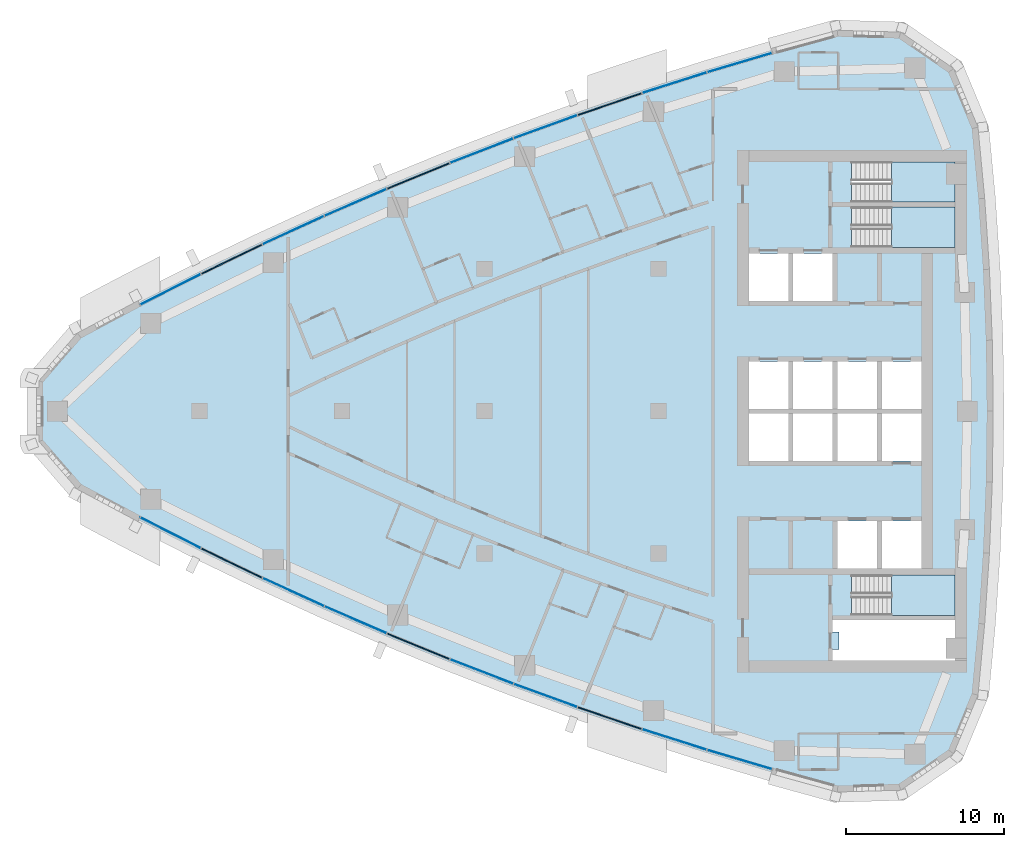
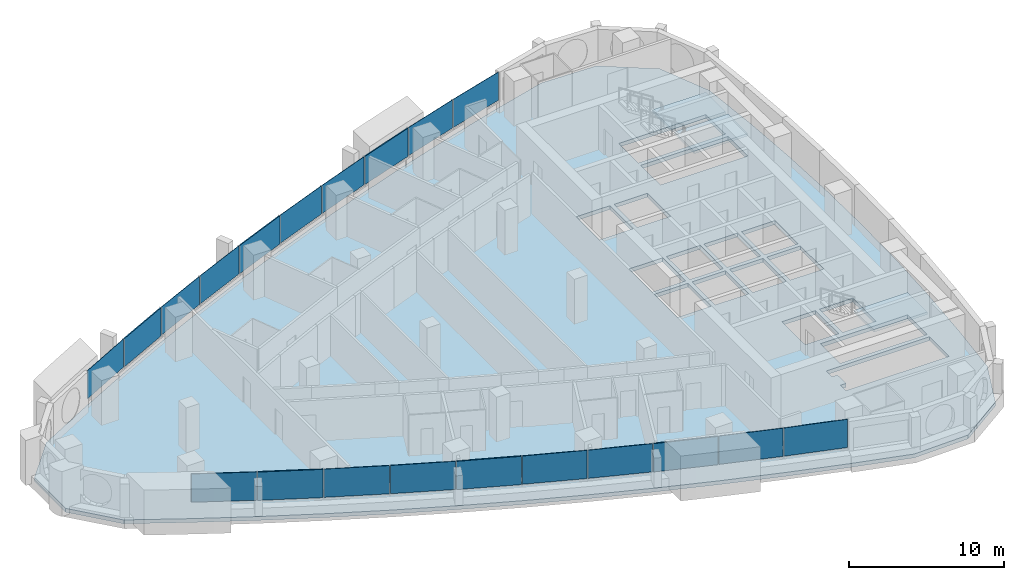
# One storey, part 8 of 17: 20 plates, 4 slabs, 1 opening, 13 elements without a shape of their own.
"""IFC4 building model written with IfcOpenShell, lengths in metres."""

import ifcopenshell
import ifcopenshell.guid

model = None  # the IFC model being written
_history = None  # IfcOwnerHistory: only IFC2X3 demands one
_inside = {}  # id of a spatial element -> (the spatial element, [elements in it])
_under = {}  # id of a project, library or spatial element -> (it, [spatial elements below it])
_declared = {}  # id of a project -> (the project, [libraries it declares])
_typed = {}  # id of a type object -> (the type object, [elements of that type])
_made_of = {}  # id of a material, layer set ... -> (it, [elements and type objects made of it])


def new_model(schema):
    """Start an empty IFC model of exactly this schema.

    Asked for "IFC4X3", IfcOpenShell would pick the latest addendum, in which some entities
    have other attributes; the version numbers below select the first issue.
    IFC2X3 requires an IfcOwnerHistory on every rooted entity: one is made here for all.
    """
    global model, _history
    if schema == "IFC4X3":
        model = ifcopenshell.file(schema_version=(4, 3, 0, 0))
    else:
        model = ifcopenshell.file(schema=schema)
    _inside.clear()
    _under.clear()
    _declared.clear()
    _typed.clear()
    _made_of.clear()
    _history = None
    if model.schema == "IFC2X3":
        org = make("IfcOrganization", Name="unknown")
        user = make(
            "IfcPersonAndOrganization",
            ThePerson=make("IfcPerson", FamilyName="unknown"),
            TheOrganization=org,
        )
        app = make(
            "IfcApplication",
            ApplicationDeveloper=org,
            Version="unknown",
            ApplicationFullName="unknown",
            ApplicationIdentifier="unknown",
        )
        _history = make(
            "IfcOwnerHistory",
            OwningUser=user,
            OwningApplication=app,
            ChangeAction="ADDED",
            CreationDate=0,
        )
    return model


def make(cls, **values):
    """One entity of the class cls with the attributes given. An attribute that is None is left unset."""
    return model.create_entity(
        cls, **{name: value for name, value in values.items() if value is not None}
    )


def rooted(cls, **values):
    """An entity with a GlobalId (a new one), such as an element, a storey or a relation."""
    return make(cls, GlobalId=ifcopenshell.guid.new(), OwnerHistory=_history, **values)


def si_unit(unit_type, name, prefix=None):
    """IfcSIUnit, for example si_unit("LENGTHUNIT", "METRE", prefix="MILLI")."""
    return make("IfcSIUnit", UnitType=unit_type, Prefix=prefix, Name=name)


def assignment(units):
    """IfcUnitAssignment: the units of a project."""
    return None if units is None else make("IfcUnitAssignment", Units=units)


def point(xyz):
    """IfcCartesianPoint."""
    return None if xyz is None else make("IfcCartesianPoint", Coordinates=xyz)


def direction(xyz):
    """IfcDirection."""
    return None if xyz is None else make("IfcDirection", DirectionRatios=xyz)


def frame(location, z_axis=None, x_axis=None):
    """IfcAxis2Placement3D, a coordinate frame: its origin and axes. An axis left out is left unset."""
    return make(
        "IfcAxis2Placement3D",
        Location=point(location),
        Axis=direction(z_axis),
        RefDirection=direction(x_axis),
    )


def frame_2d(location, x_axis=None):
    """IfcAxis2Placement2D, a coordinate frame in the plane: its origin and x axis."""
    return make(
        "IfcAxis2Placement2D", Location=point(location), RefDirection=direction(x_axis)
    )


def origin():
    """The frame at (0, 0, 0) with its axes left unset."""
    return frame((0.0, 0.0, 0.0))


def origin_2d():
    """The frame at (0, 0) in the plane with its x axis left unset."""
    return frame_2d((0.0, 0.0))


def place(relative_to, where):
    """IfcLocalPlacement: puts the frame where relative to a parent placement (None: the world)."""
    return make(
        "IfcLocalPlacement", PlacementRelTo=relative_to, RelativePlacement=where
    )


def context(
    kind, dimensions, precision=None, world=None, true_north=None, identifier=None
):
    """IfcGeometricRepresentationContext, for example the 3D "Model" context."""
    return make(
        "IfcGeometricRepresentationContext",
        ContextIdentifier=identifier,
        ContextType=kind,
        CoordinateSpaceDimension=dimensions,
        Precision=precision,
        WorldCoordinateSystem=world,
        TrueNorth=true_north,
    )


def subcontext(parent, identifier, kind, view, scale=None):
    """IfcGeometricRepresentationSubContext, for example "Body" below "Model"."""
    return make(
        "IfcGeometricRepresentationSubContext",
        ContextIdentifier=identifier,
        ContextType=kind,
        ParentContext=parent,
        TargetScale=scale,
        TargetView=view,
    )


def project(units=None, contexts=None):
    """IfcProject with its units and contexts."""
    return rooted(
        "IfcProject",
        Name="project",
        RepresentationContexts=contexts,
        UnitsInContext=assignment(units),
    )


def spatial(cls, under=None, at=None, **own):
    """A site, building, storey or space (cls), placed at a placement, below another one or the project."""
    s = rooted(cls, ObjectPlacement=at, **own)
    if under is not None:
        _under.setdefault(under.id(), (under, []))[1].append(s)
    return s


def polyline(points):
    """IfcPolyline through the points."""
    return make("IfcPolyline", Points=[point(p) for p in points])


def profile(cls, at=None, kind="AREA", **sizes):
    """A parametric profile (cls). Its sizes go by their IFC names, for example OverallWidth=200.0."""
    return make(cls, ProfileType=kind, Position=at, **sizes)


def rectangle(**sizes):
    """IfcRectangleProfileDef."""
    return profile("IfcRectangleProfileDef", **sizes)


def outline(outer, holes=None, kind="AREA"):
    """IfcArbitraryClosedProfileDef: a profile drawn as a closed curve; with holes, ...WithVoids."""
    if holes is None:
        return make("IfcArbitraryClosedProfileDef", ProfileType=kind, OuterCurve=outer)
    return make(
        "IfcArbitraryProfileDefWithVoids",
        ProfileType=kind,
        OuterCurve=outer,
        InnerCurves=holes,
    )


def extrude(swept, where, along, depth):
    """IfcExtrudedAreaSolid: the profile swept, set in the frame where, extruded along a direction by depth."""
    return make(
        "IfcExtrudedAreaSolid",
        SweptArea=swept,
        Position=where,
        ExtrudedDirection=direction(along),
        Depth=depth,
    )


def shape(context_of_items, identifier, shape_type, items):
    """IfcShapeRepresentation: the items that make up one representation, for example the "Body"."""
    return make(
        "IfcShapeRepresentation",
        ContextOfItems=context_of_items,
        RepresentationIdentifier=identifier,
        RepresentationType=shape_type,
        Items=items,
    )


def material(Name=None, Category=None):
    """IfcMaterial."""
    return make("IfcMaterial", Name=Name, Category=Category)


def layer(
    of_material, thickness, ventilated=None, Name=None, Category=None, Priority=None
):
    """IfcMaterialLayer: one layer of a wall or slab, of a material (None: an air gap)."""
    return make(
        "IfcMaterialLayer",
        Material=of_material,
        LayerThickness=thickness,
        IsVentilated=ventilated,
        Name=Name,
        Category=Category,
        Priority=Priority,
    )


def layer_set(layers, Name=None):
    """IfcMaterialLayerSet."""
    return make("IfcMaterialLayerSet", MaterialLayers=layers, LayerSetName=Name)


def made_of(thing, what):
    """Note that an element or type object is made of a material, layer set ...; save() writes the relation."""
    if what is not None:
        _made_of.setdefault(what.id(), (what, []))[1].append(thing)
    return thing


def type_object(cls, material=None, **own):
    """A type object (cls), such as IfcWallType, which elements share."""
    return made_of(rooted(cls, **own), material)


def element(
    cls,
    number,
    at=None,
    inside=None,
    cuts=None,
    type_object=None,
    material=None,
    context=None,
    identifier="Body",
    shape_type=None,
    held_by="IfcProductDefinitionShape",
    body=None,
    shapes=None,
    **own,
):
    """One element of the class cls, such as IfcWall. Its Tag is "e" and its number.

    at: its placement. inside: the storey or other place that contains it. cuts: it is an
    opening in that element (IfcRelVoidsElement). A single representation is given by context,
    identifier, shape_type and body (its items); several are given by shapes. held_by: the class
    of the entity that holds the representations. save() writes the other relations.
    """
    e = rooted(cls, Tag="e%d" % number, ObjectPlacement=at, **own)
    if body is not None:
        shapes = [shape(context, identifier, shape_type, body)]
    if shapes is not None:
        e.Representation = make(held_by, Representations=shapes)
    if inside is not None:
        _inside.setdefault(inside.id(), (inside, []))[1].append(e)
    if cuts is not None:
        rooted(
            "IfcRelVoidsElement", RelatingBuildingElement=cuts, RelatedOpeningElement=e
        )
    if type_object is not None:
        _typed.setdefault(type_object.id(), (type_object, []))[1].append(e)
    return made_of(e, material)


def aggregate(whole, parts):
    """IfcRelAggregates: a whole, such as a stair, and the parts it consists of."""
    return rooted("IfcRelAggregates", RelatingObject=whole, RelatedObjects=parts)


def save(model, path):
    """Write the relations noted so far, then the file.

    IfcRelAggregates (storeys below a building ...), IfcRelContainedInSpatialStructure (elements
    in a storey), IfcRelDefinesByType, IfcRelAssociatesMaterial and IfcRelDeclares: one each for
    every whole, place, type object, material and project.
    """
    for whole, parts in _under.values():
        aggregate(whole, parts)
    for where, things in _inside.values():
        rooted(
            "IfcRelContainedInSpatialStructure",
            RelatedElements=things,
            RelatingStructure=where,
        )
    for kind, things in _typed.values():
        rooted("IfcRelDefinesByType", RelatedObjects=things, RelatingType=kind)
    for what, things in _made_of.values():
        rooted("IfcRelAssociatesMaterial", RelatedObjects=things, RelatingMaterial=what)
    for by, libraries in _declared.values():
        rooted("IfcRelDeclares", RelatingContext=by, RelatedDefinitions=libraries)
    model.write(path)


model = new_model("IFC4")

# Units and contexts
model_context = context("Model", 3, precision=1e-05, world=origin(), true_north=direction((0.0, 1.0)))
body_context = subcontext(model_context, "Body", "Model", "MODEL_VIEW")
ifc_project = project(units=[si_unit("LENGTHUNIT", "METRE"), si_unit("AREAUNIT", "SQUARE_METRE"), si_unit("VOLUMEUNIT", "CUBIC_METRE"), si_unit("PLANEANGLEUNIT", "RADIAN"), si_unit("MASSUNIT", "GRAM", prefix="KILO")], contexts=[model_context])

# Site, building, storey
site_placement = place(None, origin())
site = spatial("IfcSite", under=ifc_project, at=site_placement, CompositionType="ELEMENT")
building_placement = place(site_placement, origin())
building = spatial("IfcBuilding", under=site, at=building_placement, Name="Ostrand Prow Hotel Tower", CompositionType="ELEMENT")
storey_placement = place(building_placement, frame((0.0, 0.0, 179.050048828125)))
storey = spatial("IfcBuildingStorey", under=building, at=storey_placement, Name="L44", CompositionType="ELEMENT", Elevation=179.050048828125)

# Curtain wall, plate
ifc_material_1 = material(Name="Insulated glass in bronze anodised frame", Category="glass")
ifc_layer_1 = layer(ifc_material_1, 0.199951171875)
ifc_layer_set_1 = layer_set([ifc_layer_1], Name="Insulated glass in bronze anodised frame")
curtain_wall_type = type_object("IfcCurtainWallType", Name="Strip curtain wall, fritted glass over bronze spandrel", PredefinedType="NOTDEFINED", material=ifc_layer_set_1)
curtain_wall_1_placement = place(storey_placement, origin())
curtain_wall_1 = element("IfcCurtainWall", 1, at=curtain_wall_1_placement, inside=storey, type_object=curtain_wall_type, Name="CW1 run CWS1", PredefinedType="NOTDEFINED")
ifc_material_2 = material(Name="Ceramic-fritted glass", Category="glass")
ifc_layer_2 = layer(ifc_material_2, 0.031982421875)
ifc_layer_set_2 = layer_set([ifc_layer_2], Name="Ceramic-fritted glass")
plate_type_1 = type_object("IfcPlateType", Name="Dot-fritted ceramic glass unit 32 mm", PredefinedType="CURTAIN_PANEL", material=ifc_layer_set_2)
plate_1_placement = place(storey_placement, frame((14.17529296875, -7.6865234375, 1.02001953125), z_axis=(0.0, 0.0, 1.0), x_axis=(0.891683792196, -0.452658828186, 0.0)))
plate_1 = element("IfcPlate", 2, at=plate_1_placement, type_object=plate_type_1, Name="CW1 PN-D panel 1.2", PredefinedType="CURTAIN_PANEL", context=body_context, shape_type="SweptSolid", body=[
    extrude(rectangle(XDim=4.2451171875, YDim=0.031982421875, at=origin_2d()), origin(), (0.0, 0.0, 1.0), 2.22998046875),
])

# Curtain wall, plates
curtain_wall_2_placement = place(storey_placement, origin())
curtain_wall_2 = element("IfcCurtainWall", 3, at=curtain_wall_2_placement, inside=storey, type_object=curtain_wall_type, Name="CW1 run CWS2", PredefinedType="NOTDEFINED")
plate_2_placement = place(storey_placement, frame((21.928955078125, -11.428466796875, 1.02001953125), z_axis=(0.0, 0.0, 1.0), x_axis=(0.909184517226, -0.416393460127, 0.0)))
plate_2 = element("IfcPlate", 4, at=plate_2_placement, type_object=plate_type_1, Name="CW1 PN-D panel 1.2", PredefinedType="CURTAIN_PANEL", context=body_context, shape_type="SweptSolid", body=[
    extrude(rectangle(XDim=4.2451171875, YDim=0.031982421875, at=origin_2d()), origin(), (0.0, 0.0, 1.0), 2.22998046875),
])
plate_3_placement = place(storey_placement, frame((25.860595703125, -13.181396484375, 1.02001953125), z_axis=(0.0, 0.0, 1.0), x_axis=(0.917383388347, -0.398004671812, 0.0)))
plate_3 = element("IfcPlate", 5, at=plate_3_placement, type_object=plate_type_1, Name="CW1 PN-D panel 2.2", PredefinedType="CURTAIN_PANEL", context=body_context, shape_type="SweptSolid", body=[
    extrude(rectangle(XDim=4.2451171875, YDim=0.031982421875, at=origin_2d()), origin(), (0.0, 0.0, 1.0), 2.22998046875),
])
aggregate(curtain_wall_2, [plate_2, plate_3])

# Curtain wall, plate
curtain_wall_3_placement = place(storey_placement, origin())
curtain_wall_3 = element("IfcCurtainWall", 6, at=curtain_wall_3_placement, inside=storey, type_object=curtain_wall_type, Name="CW1 run CWS3", PredefinedType="NOTDEFINED")
plate_4_placement = place(storey_placement, frame((33.826171875, -16.4482421875, 1.02001953125), z_axis=(0.0, 0.0, 1.0), x_axis=(0.932662950972, -0.360748970732, 0.0)))
plate_4 = element("IfcPlate", 7, at=plate_4_placement, type_object=plate_type_1, Name="CW1 PN-D panel 2.2", PredefinedType="CURTAIN_PANEL", context=body_context, shape_type="SweptSolid", body=[
    extrude(rectangle(XDim=4.2451171875, YDim=0.031982421875, at=origin_2d()), origin(), (0.0, 0.0, 1.0), 2.22998046875),
])

curtain_wall_4_placement = place(storey_placement, origin())
curtain_wall_4 = element("IfcCurtainWall", 8, at=curtain_wall_4_placement, inside=storey, type_object=curtain_wall_type, Name="CW1 run CWS4", PredefinedType="NOTDEFINED")
plate_5_placement = place(storey_placement, frame((37.8564453125, -17.960693359375, 1.02001953125), z_axis=(0.0, 0.0, 1.0), x_axis=(0.939737383067, -0.341897134919, 0.0)))
plate_5 = element("IfcPlate", 9, at=plate_5_placement, type_object=plate_type_1, Name="CW1 PN-D panel 1.2", PredefinedType="CURTAIN_PANEL", context=body_context, shape_type="SweptSolid", body=[
    extrude(rectangle(XDim=4.2451171875, YDim=0.031982421875, at=origin_2d()), origin(), (0.0, 0.0, 1.0), 2.22998046875),
])

# Curtain wall, plates
curtain_wall_5_placement = place(storey_placement, origin())
curtain_wall_5 = element("IfcCurtainWall", 10, at=curtain_wall_5_placement, inside=storey, type_object=curtain_wall_type, Name="CW1 run CWS5", PredefinedType="NOTDEFINED")
plate_6_placement = place(storey_placement, frame((46.00439453125, -20.74072265625, 1.02001953125), z_axis=(0.0, 0.0, 1.0), x_axis=(0.952739983864, -0.303786970008, 0.0)))
plate_6 = element("IfcPlate", 11, at=plate_6_placement, type_object=plate_type_1, Name="CW1 PN-D panel 1.2", PredefinedType="CURTAIN_PANEL", context=body_context, shape_type="SweptSolid", body=[
    extrude(rectangle(XDim=4.2451171875, YDim=0.031982421875, at=origin_2d()), origin(), (0.0, 0.0, 1.0), 2.22998046875),
])
plate_7_placement = place(storey_placement, frame((50.118896484375, -22.007080078125, 1.02001953125), z_axis=(0.0, 0.0, 1.0), x_axis=(0.958662947758, -0.284544113619, 0.0)))
plate_7 = element("IfcPlate", 12, at=plate_7_placement, type_object=plate_type_1, Name="CW1 PN-D panel 2.2", PredefinedType="CURTAIN_PANEL", context=body_context, shape_type="SweptSolid", body=[
    extrude(rectangle(XDim=4.2451171875, YDim=0.031982421875, at=origin_2d()), origin(), (0.0, 0.0, 1.0), 2.22998046875),
])
aggregate(curtain_wall_5, [plate_6, plate_7])

curtain_wall_6_placement = place(storey_placement, origin())
curtain_wall_6 = element("IfcCurtainWall", 13, at=curtain_wall_6_placement, inside=storey, type_object=curtain_wall_type, Name="CW1 run CWN1", PredefinedType="NOTDEFINED")
plate_8_placement = place(storey_placement, frame((50.118896484375, 22.007080078125, 1.02001953125), z_axis=(0.0, 0.0, 1.0), x_axis=(-0.958662947758, -0.284544113619, 0.0)))
plate_8 = element("IfcPlate", 14, at=plate_8_placement, type_object=plate_type_1, Name="CW1 PN-D panel 1.2", PredefinedType="CURTAIN_PANEL", context=body_context, shape_type="SweptSolid", body=[
    extrude(rectangle(XDim=4.2451171875, YDim=0.031982421875, at=origin_2d()), origin(), (0.0, 0.0, 1.0), 2.22998046875),
])
plate_9_placement = place(storey_placement, frame((46.00439453125, 20.74072265625, 1.02001953125), z_axis=(0.0, 0.0, 1.0), x_axis=(-0.952739983864, -0.303786970008, 0.0)))
plate_9 = element("IfcPlate", 15, at=plate_9_placement, type_object=plate_type_1, Name="CW1 PN-D panel 2.2", PredefinedType="CURTAIN_PANEL", context=body_context, shape_type="SweptSolid", body=[
    extrude(rectangle(XDim=4.2451171875, YDim=0.031982421875, at=origin_2d()), origin(), (0.0, 0.0, 1.0), 2.22998046875),
])
aggregate(curtain_wall_6, [plate_8, plate_9])

# Curtain wall, plate
curtain_wall_7_placement = place(storey_placement, origin())
curtain_wall_7 = element("IfcCurtainWall", 16, at=curtain_wall_7_placement, inside=storey, type_object=curtain_wall_type, Name="CW1 run CWN2", PredefinedType="NOTDEFINED")
plate_10_placement = place(storey_placement, frame((37.8564453125, 17.960693359375, 1.02001953125), z_axis=(0.0, 0.0, 1.0), x_axis=(-0.939737383067, -0.341897134919, 0.0)))
plate_10 = element("IfcPlate", 17, at=plate_10_placement, type_object=plate_type_1, Name="CW1 PN-D panel 2.2", PredefinedType="CURTAIN_PANEL", context=body_context, shape_type="SweptSolid", body=[
    extrude(rectangle(XDim=4.2451171875, YDim=0.031982421875, at=origin_2d()), origin(), (0.0, 0.0, 1.0), 2.22998046875),
])

curtain_wall_8_placement = place(storey_placement, origin())
curtain_wall_8 = element("IfcCurtainWall", 18, at=curtain_wall_8_placement, inside=storey, type_object=curtain_wall_type, Name="CW1 run CWN3", PredefinedType="NOTDEFINED")
plate_11_placement = place(storey_placement, frame((33.826171875, 16.4482421875, 1.02001953125), z_axis=(0.0, 0.0, 1.0), x_axis=(-0.932662950972, -0.360748970732, 0.0)))
plate_11 = element("IfcPlate", 19, at=plate_11_placement, type_object=plate_type_1, Name="CW1 PN-D panel 1.2", PredefinedType="CURTAIN_PANEL", context=body_context, shape_type="SweptSolid", body=[
    extrude(rectangle(XDim=4.2451171875, YDim=0.031982421875, at=origin_2d()), origin(), (0.0, 0.0, 1.0), 2.22998046875),
])

# Curtain wall, plates
curtain_wall_9_placement = place(storey_placement, origin())
curtain_wall_9 = element("IfcCurtainWall", 20, at=curtain_wall_9_placement, inside=storey, type_object=curtain_wall_type, Name="CW1 run CWN4", PredefinedType="NOTDEFINED")
plate_12_placement = place(storey_placement, frame((25.860595703125, 13.181396484375, 1.02001953125), z_axis=(0.0, 0.0, 1.0), x_axis=(-0.917383388347, -0.398004671812, 0.0)))
plate_12 = element("IfcPlate", 21, at=plate_12_placement, type_object=plate_type_1, Name="CW1 PN-D panel 1.2", PredefinedType="CURTAIN_PANEL", context=body_context, shape_type="SweptSolid", body=[
    extrude(rectangle(XDim=4.2451171875, YDim=0.031982421875, at=origin_2d()), origin(), (0.0, 0.0, 1.0), 2.22998046875),
])
plate_13_placement = place(storey_placement, frame((21.928955078125, 11.428466796875, 1.02001953125), z_axis=(0.0, 0.0, 1.0), x_axis=(-0.909184517226, -0.416393460127, 0.0)))
plate_13 = element("IfcPlate", 22, at=plate_13_placement, type_object=plate_type_1, Name="CW1 PN-D panel 2.2", PredefinedType="CURTAIN_PANEL", context=body_context, shape_type="SweptSolid", body=[
    extrude(rectangle(XDim=4.2451171875, YDim=0.031982421875, at=origin_2d()), origin(), (0.0, 0.0, 1.0), 2.22998046875),
])
aggregate(curtain_wall_9, [plate_12, plate_13])

# Curtain wall, plate
curtain_wall_10_placement = place(storey_placement, origin())
curtain_wall_10 = element("IfcCurtainWall", 23, at=curtain_wall_10_placement, inside=storey, type_object=curtain_wall_type, Name="CW1 run CWN5", PredefinedType="NOTDEFINED")
plate_14_placement = place(storey_placement, frame((14.17529296875, 7.6865234375, 1.02001953125), z_axis=(0.0, 0.0, 1.0), x_axis=(-0.891683792196, -0.452658828186, 0.0)))
plate_14 = element("IfcPlate", 24, at=plate_14_placement, type_object=plate_type_1, Name="CW1 PN-D panel 2.2", PredefinedType="CURTAIN_PANEL", context=body_context, shape_type="SweptSolid", body=[
    extrude(rectangle(XDim=4.2451171875, YDim=0.031982421875, at=origin_2d()), origin(), (0.0, 0.0, 1.0), 2.22998046875),
])

# Plate
ifc_material_3 = material(Name="Fritted glass in bronze vent frame", Category="glass")
ifc_layer_3 = layer(ifc_material_3, 0.080078125)
ifc_layer_set_3 = layer_set([ifc_layer_3], Name="Fritted glass in bronze vent frame")
plate_type_2 = type_object("IfcPlateType", Name="Operable vent panel 80 mm", PredefinedType="CURTAIN_PANEL", material=ifc_layer_set_3)
plate_15_placement = place(storey_placement, frame((18.033203125, -9.596435546875, 1.02001953125), z_axis=(0.0, 0.0, 1.0), x_axis=(0.90061633232, -0.434615027304, 0.0)))
plate_15 = element("IfcPlate", 25, at=plate_15_placement, type_object=plate_type_2, Name="CW1 PN-O2 panel 2.2", PredefinedType="CURTAIN_PANEL", context=body_context, shape_type="SweptSolid", body=[
    extrude(rectangle(XDim=4.2451171875, YDim=0.080078125, at=origin_2d()), origin(), (0.0, 0.0, 1.0), 2.22998046875),
])

aggregate(curtain_wall_1, [plate_1, plate_15])

plate_16_placement = place(storey_placement, frame((29.826904296875, -14.85498046875, 1.02001953125), z_axis=(0.0, 0.0, 1.0), x_axis=(0.925211042932, -0.379452929936, 0.0)))
plate_16 = element("IfcPlate", 26, at=plate_16_placement, type_object=plate_type_2, Name="CW1 PN-O2 panel 1.2", PredefinedType="CURTAIN_PANEL", context=body_context, shape_type="SweptSolid", body=[
    extrude(rectangle(XDim=4.2451171875, YDim=0.080078125, at=origin_2d()), origin(), (0.0, 0.0, 1.0), 2.22998046875),
])

aggregate(curtain_wall_3, [plate_16, plate_4])

plate_17_placement = place(storey_placement, frame((41.91650390625, -19.3916015625, 1.02001953125), z_axis=(0.0, 0.0, 1.0), x_axis=(0.946430245113, -0.322908332404, 0.0)))
plate_17 = element("IfcPlate", 27, at=plate_17_placement, type_object=plate_type_2, Name="CW1 PN-O2 panel 2.2", PredefinedType="CURTAIN_PANEL", context=body_context, shape_type="SweptSolid", body=[
    extrude(rectangle(XDim=4.2451171875, YDim=0.080078125, at=origin_2d()), origin(), (0.0, 0.0, 1.0), 2.22998046875),
])

aggregate(curtain_wall_4, [plate_5, plate_17])

plate_18_placement = place(storey_placement, frame((41.91650390625, 19.3916015625, 1.02001953125), z_axis=(0.0, 0.0, 1.0), x_axis=(-0.946430245113, -0.322908332404, 0.0)))
plate_18 = element("IfcPlate", 28, at=plate_18_placement, type_object=plate_type_2, Name="CW1 PN-O2 panel 1.2", PredefinedType="CURTAIN_PANEL", context=body_context, shape_type="SweptSolid", body=[
    extrude(rectangle(XDim=4.2451171875, YDim=0.080078125, at=origin_2d()), origin(), (0.0, 0.0, 1.0), 2.22998046875),
])

aggregate(curtain_wall_7, [plate_18, plate_10])

plate_19_placement = place(storey_placement, frame((29.826904296875, 14.85498046875, 1.02001953125), z_axis=(0.0, 0.0, 1.0), x_axis=(-0.925211042932, -0.379452929936, 0.0)))
plate_19 = element("IfcPlate", 29, at=plate_19_placement, type_object=plate_type_2, Name="CW1 PN-O2 panel 2.2", PredefinedType="CURTAIN_PANEL", context=body_context, shape_type="SweptSolid", body=[
    extrude(rectangle(XDim=4.2451171875, YDim=0.080078125, at=origin_2d()), origin(), (0.0, 0.0, 1.0), 2.22998046875),
])

aggregate(curtain_wall_8, [plate_11, plate_19])

plate_20_placement = place(storey_placement, frame((18.033203125, 9.596435546875, 1.02001953125), z_axis=(0.0, 0.0, 1.0), x_axis=(-0.90061633232, -0.434615027304, 0.0)))
plate_20 = element("IfcPlate", 30, at=plate_20_placement, type_object=plate_type_2, Name="CW1 PN-O2 panel 1.2", PredefinedType="CURTAIN_PANEL", context=body_context, shape_type="SweptSolid", body=[
    extrude(rectangle(XDim=4.2451171875, YDim=0.080078125, at=origin_2d()), origin(), (0.0, 0.0, 1.0), 2.22998046875),
])

aggregate(curtain_wall_10, [plate_20, plate_14])

# Slab, opening
ifc_material_4 = material(Name="Concrete C40/50", Category="concrete")
ifc_layer_4 = layer(ifc_material_4, 0.300048828125)
ifc_layer_set_4 = layer_set([ifc_layer_4], Name="Concrete C40/50")
slab_type_1 = type_object("IfcSlabType", Name="PT flat plate 300 C40/50", PredefinedType="FLOOR", material=ifc_layer_set_4)
slab_1_placement = place(storey_placement, frame((0.0, 0.0, -0.300048828125)))
slab_1 = element("IfcSlab", 31, at=slab_1_placement, inside=storey, type_object=slab_type_1, Name="Floor slab L44-1", PredefinedType="FLOOR", context=body_context, shape_type="SweptSolid", body=[
    extrude(outline(polyline([(8.22216796875, 5.025634765625), (12.06689453125, 7.07568359375), (15.912841796875, 9.0283203125), (19.797607421875, 10.90283203125), (23.718994140625, 12.698974609375), (27.676025390625, 14.41552734375), (31.666748046875, 16.05224609375), (35.689697265625, 17.6083984375), (39.7431640625, 19.0830078125), (43.8251953125, 20.475830078125), (47.934814453125, 21.7861328125), (52.06982421875, 23.013427734375), (56.26220703125, 24.16650390625), (60.3349609375, 24.0498046875), (63.721435546875, 21.719482421875), (65.2861328125, 17.957275390625), (65.70947265625, 13.453369140625), (66.009765625, 8.974365234375), (66.18994140625, 4.48876953125), (66.25, 0.0), (66.18994140625, -4.48876953125), (66.009765625, -8.974365234375), (65.70947265625, -13.453369140625), (65.2861328125, -17.957275390625), (63.721435546875, -21.719482421875), (60.3349609375, -24.0498046875), (56.26220703125, -24.16650390625), (52.06982421875, -23.013427734375), (47.934814453125, -21.7861328125), (43.8251953125, -20.475830078125), (39.7431640625, -19.0830078125), (35.689697265625, -17.6083984375), (31.666748046875, -16.05224609375), (27.676025390625, -14.41552734375), (23.718994140625, -12.698974609375), (19.797607421875, -10.90283203125), (15.912841796875, -9.0283203125), (12.06689453125, -7.07568359375), (8.22216796875, -5.025634765625), (5.614013671875, -2.014892578125), (5.614013671875, 2.014892578125), (8.22216796875, 5.025634765625)]), holes=[polyline([(50.699951171875, 6.949951171875), (53.199951171875, 6.949951171875), (53.199951171875, 9.949951171875), (50.699951171875, 9.949951171875), (50.699951171875, 6.949951171875)]), polyline([(53.5, 6.949951171875), (56.0, 6.949951171875), (56.0, 9.949951171875), (53.5, 9.949951171875), (53.5, 6.949951171875)]), polyline([(50.699951171875, 0.14990234375), (53.199951171875, 0.14990234375), (53.199951171875, 3.14990234375), (50.699951171875, 3.14990234375), (50.699951171875, 0.14990234375)]), polyline([(53.5, 0.14990234375), (56.0, 0.14990234375), (56.0, 3.14990234375), (53.5, 3.14990234375), (53.5, 0.14990234375)]), polyline([(56.300048828125, 0.14990234375), (58.800048828125, 0.14990234375), (58.800048828125, 3.14990234375), (56.300048828125, 3.14990234375), (56.300048828125, 0.14990234375)]), polyline([(59.10009765625, 0.14990234375), (61.60009765625, 0.14990234375), (61.60009765625, 3.14990234375), (59.10009765625, 3.14990234375), (59.10009765625, 0.14990234375)]), polyline([(50.699951171875, -3.14990234375), (53.199951171875, -3.14990234375), (53.199951171875, -0.14990234375), (50.699951171875, -0.14990234375), (50.699951171875, -3.14990234375)]), polyline([(53.5, -3.14990234375), (56.0, -3.14990234375), (56.0, -0.14990234375), (53.5, -0.14990234375), (53.5, -3.14990234375)]), polyline([(56.300048828125, -3.14990234375), (58.800048828125, -3.14990234375), (58.800048828125, -0.14990234375), (56.300048828125, -0.14990234375), (56.300048828125, -3.14990234375)]), polyline([(59.10009765625, -3.14990234375), (61.60009765625, -3.14990234375), (61.60009765625, -0.14990234375), (59.10009765625, -0.14990234375), (59.10009765625, -3.14990234375)]), polyline([(56.300048828125, -9.949951171875), (58.800048828125, -9.949951171875), (58.800048828125, -6.949951171875), (56.300048828125, -6.949951171875), (56.300048828125, -9.949951171875)]), polyline([(59.10009765625, -9.949951171875), (61.60009765625, -9.949951171875), (61.60009765625, -6.949951171875), (59.10009765625, -6.949951171875), (59.10009765625, -9.949951171875)]), polyline([(57.200927734375, 10.35107421875), (57.200927734375, 12.89892578125), (63.718994140625, 12.89892578125), (63.718994140625, 10.35107421875), (57.200927734375, 10.35107421875)]), polyline([(57.200927734375, 13.200927734375), (57.200927734375, 15.7490234375), (63.718994140625, 15.7490234375), (63.718994140625, 13.200927734375), (57.200927734375, 13.200927734375)]), polyline([(57.200927734375, -12.89892578125), (57.200927734375, -10.35107421875), (63.718994140625, -10.35107421875), (63.718994140625, -12.89892578125), (57.200927734375, -12.89892578125)]), polyline([(63.719970703125, -13.199951171875), (63.719970703125, -15.75), (56.0, -15.75), (56.0, -15.050048828125), (56.39990234375, -15.050048828125), (56.39990234375, -13.949951171875), (56.0, -13.949951171875), (56.0, -13.199951171875), (63.719970703125, -13.199951171875)])]), origin(), (0.0, 0.0, 1.0), 0.300048828125),
])
opening_placement = place(slab_1_placement, origin())
element("IfcOpeningElement", 32, at=opening_placement, cuts=slab_1, Name="Shaft opening 1", PredefinedType="OPENING", context=body_context, shape_type="SweptSolid", body=[
    extrude(outline(polyline([(63.719970703125, -13.199951171875), (63.719970703125, -15.75), (56.0, -15.75), (56.0, -15.050048828125), (56.39990234375, -15.050048828125), (56.39990234375, -13.949951171875), (56.0, -13.949951171875), (56.0, -13.199951171875), (63.719970703125, -13.199951171875)])), origin(), (0.0, 0.0, 1.0), 0.300048828125),
])

# Stair, slab
ifc_material_5 = material(Name="Concrete C40/50", Category="concrete")
stair_type = type_object("IfcStairType", Name="Exit stair 1200 upper zone", PredefinedType="HALF_TURN_STAIR", material=ifc_material_5)
stair_1_placement = place(storey_placement, origin())
stair_1 = element("IfcStair", 33, at=stair_1_placement, inside=storey, type_object=stair_type, Name="L44 ST1C", PredefinedType="HALF_TURN_STAIR")
ifc_material_6 = material(Name="Concrete C40/50", Category="concrete")
ifc_layer_5 = layer(ifc_material_6, 0.199951171875)
ifc_layer_set_5 = layer_set([ifc_layer_5], Name="Concrete C40/50")
slab_type_2 = type_object("IfcSlabType", Name="Stair landing 200 concrete", PredefinedType="LANDING", material=ifc_layer_set_5)
slab_2_placement = place(storey_placement, frame((0.0, 0.0, 1.574951171875)))
slab_2 = element("IfcSlab", 34, at=slab_2_placement, type_object=slab_type_2, Name="ST1C landing 1", PredefinedType="LANDING", context=body_context, shape_type="SweptSolid", body=[
    extrude(outline(polyline([(59.719970703125, 10.35009765625), (63.719970703125, 10.35009765625), (63.719970703125, 12.89990234375), (59.719970703125, 12.89990234375), (59.719970703125, 10.35009765625)])), origin(), (0.0, 0.0, 1.0), 0.199951171875),
])
aggregate(stair_1, [slab_2])

stair_2_placement = place(storey_placement, origin())
stair_2 = element("IfcStair", 35, at=stair_2_placement, inside=storey, type_object=stair_type, Name="L44 ST3C", PredefinedType="HALF_TURN_STAIR")
slab_3_placement = place(storey_placement, frame((0.0, 0.0, 1.574951171875)))
slab_3 = element("IfcSlab", 36, at=slab_3_placement, type_object=slab_type_2, Name="ST3C landing 1", PredefinedType="LANDING", context=body_context, shape_type="SweptSolid", body=[
    extrude(outline(polyline([(59.719970703125, 13.199951171875), (63.719970703125, 13.199951171875), (63.719970703125, 15.75), (59.719970703125, 15.75), (59.719970703125, 13.199951171875)])), origin(), (0.0, 0.0, 1.0), 0.199951171875),
])
aggregate(stair_2, [slab_3])

stair_3_placement = place(storey_placement, origin())
stair_3 = element("IfcStair", 37, at=stair_3_placement, inside=storey, type_object=stair_type, Name="L44 ST2C", PredefinedType="HALF_TURN_STAIR")
slab_4_placement = place(storey_placement, frame((0.0, 0.0, 1.574951171875)))
slab_4 = element("IfcSlab", 38, at=slab_4_placement, type_object=slab_type_2, Name="ST2C landing 1", PredefinedType="LANDING", context=body_context, shape_type="SweptSolid", body=[
    extrude(outline(polyline([(59.719970703125, -12.89990234375), (63.719970703125, -12.89990234375), (63.719970703125, -10.35009765625), (59.719970703125, -10.35009765625), (59.719970703125, -12.89990234375)])), origin(), (0.0, 0.0, 1.0), 0.199951171875),
])
aggregate(stair_3, [slab_4])

save(model, "model.ifc")
